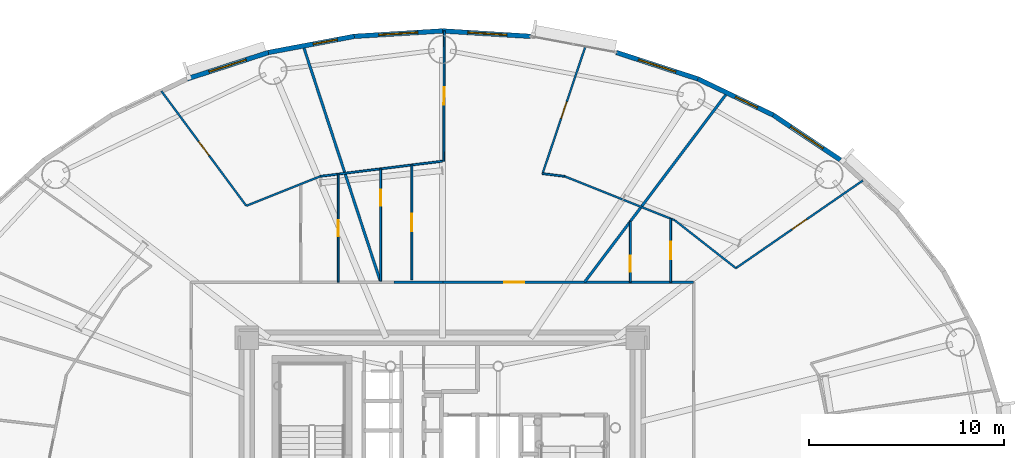
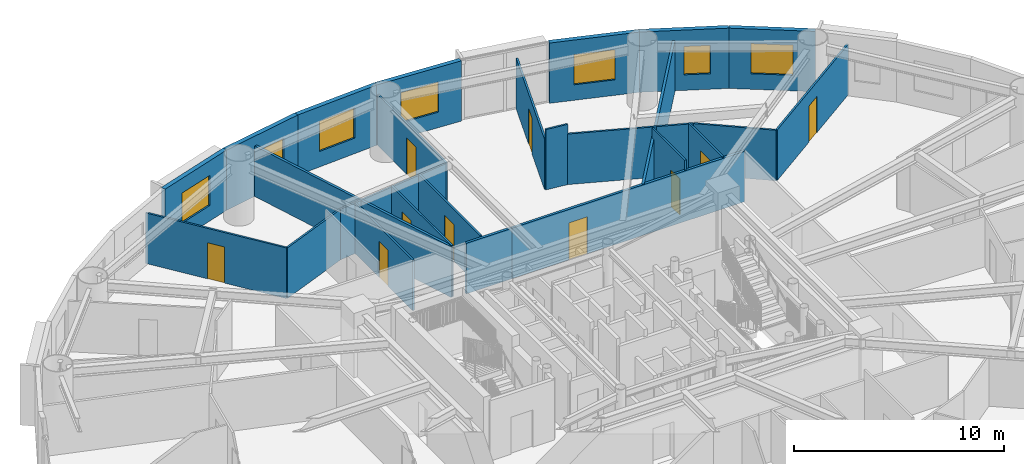
# One storey, part 13 of 19: 25 walls, 10 doors, 7 windows, 17 openings.
"""IFC4 building model written with IfcOpenShell, lengths in metres."""

from ifc_helpers import new_model, si_unit, direction, frame, frame_2d, origin, origin_2d, place, context, subcontext, project, spatial, rectangle, extrude, source, transform, mapped, material, layer, layer_set, type_object, element, fill, save


model = new_model("IFC4")

# Units and contexts
model_context = context("Model", 3, precision=1e-05, world=origin(), true_north=direction((0.0, 1.0)))
body_context = subcontext(model_context, "Body", "Model", "MODEL_VIEW")
ifc_project = project(units=[si_unit("LENGTHUNIT", "METRE"), si_unit("AREAUNIT", "SQUARE_METRE"), si_unit("VOLUMEUNIT", "CUBIC_METRE"), si_unit("PLANEANGLEUNIT", "RADIAN"), si_unit("MASSUNIT", "GRAM", prefix="KILO")], contexts=[model_context])

# Site, building, storey
site_placement = place(None, origin())
site = spatial("IfcSite", under=ifc_project, at=site_placement, CompositionType="ELEMENT")
building_placement = place(site_placement, origin())
building = spatial("IfcBuilding", under=site, at=building_placement, Name="Linh Dai School and Residence Tower", CompositionType="ELEMENT")
storey_placement = place(building_placement, frame((0.0, 0.0, 112.199951171875)))
storey = spatial("IfcBuildingStorey", under=building, at=storey_placement, Name="L26", CompositionType="ELEMENT", Elevation=112.199951171875)

# Wall, opening, window
ifc_material_1 = material(Name="Precast Concrete B45 (C35/45)", Category="concrete")
ifc_layer_1 = layer(ifc_material_1, 0.239990234375)
ifc_layer_set_1 = layer_set([ifc_layer_1], Name="Precast Concrete B45 (C35/45)")
wall_type_1 = type_object("IfcWallType", Name="EW-TC-240", PredefinedType="SOLIDWALL", material=ifc_layer_set_1)
wall_1_placement = place(storey_placement, frame((52.92529296875, 45.199462890625, 0.0), z_axis=(0.0, 0.0, 1.0), x_axis=(0.831221811447, -0.555940914284, 0.0)))
wall_1 = element("IfcWall", 1, at=wall_1_placement, inside=storey, type_object=wall_type_1, Name="L26 Terracotta Exterior Wall 06", PredefinedType="SOLIDWALL", context=body_context, shape_type="SweptSolid", body=[
    extrude(rectangle(XDim=4.130126953125, YDim=0.239990234375, at=frame_2d((2.06494140625, 0.0))), origin(), (0.0, 0.0, 1.0), 3.5),
])
opening_1_placement = place(wall_1_placement, frame((1.06494140625, 0.0, 0.89990234375)))
opening_1 = element("IfcOpeningElement", 2, at=opening_1_placement, cuts=wall_1, Name="Opening W1", PredefinedType="OPENING", context=body_context, shape_type="SweptSolid", body=[
    extrude(rectangle(XDim=2.0, YDim=1.75, at=origin_2d()), frame((1.0, 0.1298828125, 0.875), z_axis=(0.0, -1.0, 0.0), x_axis=(1.0, 0.0, 0.0)), (0.0, 0.0, 1.0), 0.260009765625),
])
ifc_material_2 = material(Name="Double Low-E Insulated Glazing", Category="glass")
window_type_1 = type_object("IfcWindowType", Name="WN-RES-2000x1750", PartitioningType="DOUBLE_PANEL_VERTICAL", PredefinedType="WINDOW", material=ifc_material_2)
shared_shape_1 = source(origin(), body_context, "Body", "SweptSolid", [
    extrude(rectangle(XDim=2.0, YDim=1.75, at=origin_2d()), frame((1.0, 0.030029296875, 0.875), z_axis=(0.0, -1.0, 0.0), x_axis=(1.0, 0.0, 0.0)), (0.0, 0.0, 1.0), 0.06005859375),
])
window_1_placement = place(opening_1_placement, origin())
window_1 = element("IfcWindow", 3, at=window_1_placement, inside=storey, type_object=window_type_1, Name="L26 Exterior Window 06.1", OverallHeight=1.75, OverallWidth=2.0, PartitioningType="DOUBLE_PANEL_VERTICAL", PredefinedType="WINDOW", context=body_context, shape_type="MappedRepresentation", body=[
    mapped(shared_shape_1, transform((0.0, 0.0, 0.0), x_axis=(1.0, 0.0, 0.0), y_axis=(0.0, 1.0, 0.0), z_axis=(0.0, 0.0, 1.0), scale=1.0)),
])
fill(opening_1, window_1)

wall_2_placement = place(storey_placement, frame((49.073974609375, 47.04736328125, 0.0), z_axis=(0.0, 0.0, 1.0), x_axis=(0.901589935876, -0.432591709962, 0.0)))
wall_2 = element("IfcWall", 4, at=wall_2_placement, inside=storey, type_object=wall_type_1, Name="L26 Terracotta Exterior Wall 07", PredefinedType="SOLIDWALL", context=body_context, shape_type="SweptSolid", body=[
    extrude(rectangle(XDim=4.271728515625, YDim=0.239990234375, at=frame_2d((2.1357421875, 0.0))), origin(), (0.0, 0.0, 1.0), 3.5),
])
opening_2_placement = place(wall_2_placement, frame((2.1318359375, 0.0, 0.89990234375)))
opening_2 = element("IfcOpeningElement", 5, at=opening_2_placement, cuts=wall_2, Name="Opening W3", PredefinedType="OPENING", context=body_context, shape_type="SweptSolid", body=[
    extrude(rectangle(XDim=1.25, YDim=1.64990234375, at=origin_2d()), frame((0.625, 0.1298828125, 0.824951171875), z_axis=(0.0, -1.0, 0.0), x_axis=(1.0, 0.0, 0.0)), (0.0, 0.0, 1.0), 0.260009765625),
])
window_type_2 = type_object("IfcWindowType", Name="WN-RES-1250x1650", PartitioningType="SINGLE_PANEL", PredefinedType="WINDOW", material=ifc_material_2)
shared_shape_2 = source(origin(), body_context, "Body", "SweptSolid", [
    extrude(rectangle(XDim=1.25, YDim=1.64990234375, at=origin_2d()), frame((0.625, 0.030029296875, 0.824951171875), z_axis=(0.0, -1.0, 0.0), x_axis=(1.0, 0.0, 0.0)), (0.0, 0.0, 1.0), 0.06005859375),
])
window_2_placement = place(opening_2_placement, origin())
window_2 = element("IfcWindow", 6, at=window_2_placement, inside=storey, type_object=window_type_2, Name="L26 Exterior Window 07.1", OverallHeight=1.64990234375, OverallWidth=1.25, PartitioningType="SINGLE_PANEL", PredefinedType="WINDOW", context=body_context, shape_type="MappedRepresentation", body=[
    mapped(shared_shape_2, transform((0.0, 0.0, 0.0), x_axis=(1.0, 0.0, 0.0), y_axis=(0.0, 1.0, 0.0), z_axis=(0.0, 0.0, 1.0), scale=1.0)),
])
fill(opening_2, window_2)

wall_3_placement = place(storey_placement, frame((44.899658203125, 48.4013671875, 0.0), z_axis=(0.0, 0.0, 1.0), x_axis=(0.951211346073, -0.308540070495, 0.0)))
wall_3 = element("IfcWall", 7, at=wall_3_placement, inside=storey, type_object=wall_type_1, Name="L26 Terracotta Exterior Wall 08", PredefinedType="SOLIDWALL", context=body_context, shape_type="SweptSolid", body=[
    extrude(rectangle(XDim=4.388427734375, YDim=0.239990234375, at=frame_2d((2.1943359375, 0.0))), origin(), (0.0, 0.0, 1.0), 3.5),
])
opening_3_placement = place(wall_3_placement, frame((1.194091796875, 0.0, 0.89990234375)))
opening_3 = element("IfcOpeningElement", 8, at=opening_3_placement, cuts=wall_3, Name="Opening W1", PredefinedType="OPENING", context=body_context, shape_type="SweptSolid", body=[
    extrude(rectangle(XDim=2.0, YDim=1.75, at=origin_2d()), frame((1.0, 0.1298828125, 0.875), z_axis=(0.0, -1.0, 0.0), x_axis=(1.0, 0.0, 0.0)), (0.0, 0.0, 1.0), 0.260009765625),
])
window_3_placement = place(opening_3_placement, origin())
window_3 = element("IfcWindow", 9, at=window_3_placement, inside=storey, type_object=window_type_1, Name="L26 Exterior Window 08.1", OverallHeight=1.75, OverallWidth=2.0, PartitioningType="DOUBLE_PANEL_VERTICAL", PredefinedType="WINDOW", context=body_context, shape_type="MappedRepresentation", body=[
    mapped(shared_shape_1, transform((0.0, 0.0, 0.0), x_axis=(1.0, 0.0, 0.0), y_axis=(0.0, 1.0, 0.0), z_axis=(0.0, 0.0, 1.0), scale=1.0)),
])
fill(opening_3, window_3)

wall_4_placement = place(storey_placement, frame((36.0, 49.5048828125, 0.0), z_axis=(0.0, 0.0, 1.0), x_axis=(0.998107531589, -0.061492726276, 0.0)))
wall_4 = element("IfcWall", 10, at=wall_4_placement, inside=storey, type_object=wall_type_1, Name="L26 Terracotta Exterior Wall 10", PredefinedType="SOLIDWALL", context=body_context, shape_type="SweptSolid", body=[
    extrude(rectangle(XDim=4.51416015625, YDim=0.239990234375, at=frame_2d((2.257080078125, 0.0))), origin(), (0.0, 0.0, 1.0), 3.5),
])
opening_4_placement = place(wall_4_placement, frame((1.305908203125, 0.0, 0.89990234375)))
opening_4 = element("IfcOpeningElement", 11, at=opening_4_placement, cuts=wall_4, Name="Opening W1", PredefinedType="OPENING", context=body_context, shape_type="SweptSolid", body=[
    extrude(rectangle(XDim=2.0, YDim=1.75, at=origin_2d()), frame((1.0, 0.1298828125, 0.875), z_axis=(0.0, -1.0, 0.0), x_axis=(1.0, 0.0, 0.0)), (0.0, 0.0, 1.0), 0.260009765625),
])
window_4_placement = place(opening_4_placement, origin())
window_4 = element("IfcWindow", 12, at=window_4_placement, inside=storey, type_object=window_type_1, Name="L26 Exterior Window 10.1", OverallHeight=1.75, OverallWidth=2.0, PartitioningType="DOUBLE_PANEL_VERTICAL", PredefinedType="WINDOW", context=body_context, shape_type="MappedRepresentation", body=[
    mapped(shared_shape_1, transform((0.0, 0.0, 0.0), x_axis=(1.0, 0.0, 0.0), y_axis=(0.0, 1.0, 0.0), z_axis=(0.0, 0.0, 1.0), scale=1.0)),
])
fill(opening_4, window_4)

wall_5_placement = place(storey_placement, frame((31.494384765625, 49.227294921875, 0.0), z_axis=(0.0, 0.0, 1.0), x_axis=(0.998107531589, 0.061492726276, 0.0)))
wall_5 = element("IfcWall", 13, at=wall_5_placement, inside=storey, type_object=wall_type_1, Name="L26 Terracotta Exterior Wall 11", PredefinedType="SOLIDWALL", context=body_context, shape_type="SweptSolid", body=[
    extrude(rectangle(XDim=4.51416015625, YDim=0.239990234375, at=frame_2d((2.257080078125, 0.0))), origin(), (0.0, 0.0, 1.0), 3.5),
])
opening_5_placement = place(wall_5_placement, frame((1.257080078125, 0.0, 0.89990234375)))
opening_5 = element("IfcOpeningElement", 14, at=opening_5_placement, cuts=wall_5, Name="Opening W1", PredefinedType="OPENING", context=body_context, shape_type="SweptSolid", body=[
    extrude(rectangle(XDim=2.0, YDim=1.75, at=origin_2d()), frame((1.0, 0.1298828125, 0.875), z_axis=(0.0, -1.0, 0.0), x_axis=(1.0, 0.0, 0.0)), (0.0, 0.0, 1.0), 0.260009765625),
])
window_5_placement = place(opening_5_placement, origin())
window_5 = element("IfcWindow", 15, at=window_5_placement, inside=storey, type_object=window_type_1, Name="L26 Exterior Window 11.1", OverallHeight=1.75, OverallWidth=2.0, PartitioningType="DOUBLE_PANEL_VERTICAL", PredefinedType="WINDOW", context=body_context, shape_type="MappedRepresentation", body=[
    mapped(shared_shape_1, transform((0.0, 0.0, 0.0), x_axis=(1.0, 0.0, 0.0), y_axis=(0.0, 1.0, 0.0), z_axis=(0.0, 0.0, 1.0), scale=1.0)),
])
fill(opening_5, window_5)

wall_6_placement = place(storey_placement, frame((27.100341796875, 48.4013671875, 0.0), z_axis=(0.0, 0.0, 1.0), x_axis=(0.982789252177, 0.184730305596, 0.0)))
wall_6 = element("IfcWall", 16, at=wall_6_placement, inside=storey, type_object=wall_type_1, Name="L26 Terracotta Exterior Wall 12", PredefinedType="SOLIDWALL", context=body_context, shape_type="SweptSolid", body=[
    extrude(rectangle(XDim=4.470947265625, YDim=0.239990234375, at=frame_2d((2.2353515625, 0.0))), origin(), (0.0, 0.0, 1.0), 3.5),
])
opening_6_placement = place(wall_6_placement, frame((2.332763671875, 0.0, 0.89990234375)))
opening_6 = element("IfcOpeningElement", 17, at=opening_6_placement, cuts=wall_6, Name="Opening W3", PredefinedType="OPENING", context=body_context, shape_type="SweptSolid", body=[
    extrude(rectangle(XDim=1.25, YDim=1.64990234375, at=origin_2d()), frame((0.625, 0.1298828125, 0.824951171875), z_axis=(0.0, -1.0, 0.0), x_axis=(1.0, 0.0, 0.0)), (0.0, 0.0, 1.0), 0.260009765625),
])
window_6_placement = place(opening_6_placement, origin())
window_6 = element("IfcWindow", 18, at=window_6_placement, inside=storey, type_object=window_type_2, Name="L26 Exterior Window 12.1", OverallHeight=1.64990234375, OverallWidth=1.25, PartitioningType="SINGLE_PANEL", PredefinedType="WINDOW", context=body_context, shape_type="MappedRepresentation", body=[
    mapped(shared_shape_2, transform((0.0, 0.0, 0.0), x_axis=(1.0, 0.0, 0.0), y_axis=(0.0, 1.0, 0.0), z_axis=(0.0, 0.0, 1.0), scale=1.0)),
])
fill(opening_6, window_6)

wall_7_placement = place(storey_placement, frame((22.926025390625, 47.04736328125, 0.0), z_axis=(0.0, 0.0, 1.0), x_axis=(0.951211346073, 0.308540070495, 0.0)))
wall_7 = element("IfcWall", 19, at=wall_7_placement, inside=storey, type_object=wall_type_1, Name="L26 Terracotta Exterior Wall 13", PredefinedType="SOLIDWALL", context=body_context, shape_type="SweptSolid", body=[
    extrude(rectangle(XDim=4.388427734375, YDim=0.239990234375, at=frame_2d((2.1943359375, 0.0))), origin(), (0.0, 0.0, 1.0), 3.5),
])
opening_7_placement = place(wall_7_placement, frame((1.1943359375, 0.0, 0.89990234375)))
opening_7 = element("IfcOpeningElement", 20, at=opening_7_placement, cuts=wall_7, Name="Opening W1", PredefinedType="OPENING", context=body_context, shape_type="SweptSolid", body=[
    extrude(rectangle(XDim=2.0, YDim=1.75, at=origin_2d()), frame((1.0, 0.1298828125, 0.875), z_axis=(0.0, -1.0, 0.0), x_axis=(1.0, 0.0, 0.0)), (0.0, 0.0, 1.0), 0.260009765625),
])
window_7_placement = place(opening_7_placement, origin())
window_7 = element("IfcWindow", 21, at=window_7_placement, inside=storey, type_object=window_type_1, Name="L26 Exterior Window 13.1", OverallHeight=1.75, OverallWidth=2.0, PartitioningType="DOUBLE_PANEL_VERTICAL", PredefinedType="WINDOW", context=body_context, shape_type="MappedRepresentation", body=[
    mapped(shared_shape_1, transform((0.0, 0.0, 0.0), x_axis=(1.0, 0.0, 0.0), y_axis=(0.0, 1.0, 0.0), z_axis=(0.0, 0.0, 1.0), scale=1.0)),
])
fill(opening_7, window_7)

# Wall
ifc_material_3 = material(Name="Autoclaved Aerated Concrete Blockwork", Category="masonry")
ifc_layer_2 = layer(ifc_material_3, 0.135009765625)
ifc_layer_set_2 = layer_set([ifc_layer_2], Name="Autoclaved Aerated Concrete Blockwork")
wall_type_2 = type_object("IfcWallType", Name="IW-CORR-135-EI90", PredefinedType="PARTITIONING", material=ifc_layer_set_2)
wall_8_placement = place(storey_placement, frame((28.88330078125, 48.741455078125, 0.0), z_axis=(0.0, 0.0, 1.0), x_axis=(0.311090320612, -0.95038035145, 0.0)))
element("IfcWall", 22, at=wall_8_placement, inside=storey, type_object=wall_type_2, Name="L26 Interior Partition Wall 028", PredefinedType="PARTITIONING", context=body_context, shape_type="SweptSolid", body=[
    extrude(rectangle(XDim=12.671142578125, YDim=0.135009765625, at=frame_2d((6.33544921875, 0.0))), origin(), (0.0, 0.0, 1.0), 2.93505859375),
])

# Wall, opening, door
wall_9_placement = place(storey_placement, frame((36.0419921875, 36.64990234375, 0.0), z_axis=(0.0, 0.0, 1.0), x_axis=(1.0, 0.0, 0.0)))
wall_9 = element("IfcWall", 23, at=wall_9_placement, inside=storey, type_object=wall_type_2, Name="L26 Interior Partition Wall 057", PredefinedType="PARTITIONING", context=body_context, shape_type="SweptSolid", body=[
    extrude(rectangle(XDim=12.80810546875, YDim=0.135009765625, at=frame_2d((6.404052734375, 0.0))), origin(), (0.0, 0.0, 1.0), 2.93505859375),
])
opening_8_placement = place(wall_9_placement, frame((3.134765625, 0.0, 0.0)))
opening_8 = element("IfcOpeningElement", 24, at=opening_8_placement, cuts=wall_9, Name="Opening D03", PredefinedType="OPENING", context=body_context, shape_type="SweptSolid", body=[
    extrude(rectangle(XDim=1.0, YDim=2.14990234375, at=origin_2d()), frame((0.5, 0.07763671875, 1.074951171875), z_axis=(0.0, -1.0, 0.0), x_axis=(1.0, 0.0, 0.0)), (0.0, 0.0, 1.0), 0.155029296875),
])
ifc_material_4 = material(Name="Fire-Rated Solid Timber Entrance Door", Category="wood")
door_type_1 = type_object("IfcDoorType", Name="DR-FLAT-1000x2150-FD60S", OperationType="NOTDEFINED", PredefinedType="DOOR", material=ifc_material_4)
shared_shape_3 = source(origin(), body_context, "Body", "SweptSolid", [
    extrude(rectangle(XDim=1.0, YDim=2.14990234375, at=origin_2d()), frame((0.5, 0.02490234375, 1.074951171875), z_axis=(0.0, -1.0, 0.0), x_axis=(1.0, 0.0, 0.0)), (0.0, 0.0, 1.0), 0.050048828125),
])
door_1_placement = place(opening_8_placement, origin())
door_1 = element("IfcDoor", 25, at=door_1_placement, inside=storey, type_object=door_type_1, Name="L26 U2601 Apartment Entrance Door", OperationType="SINGLE_SWING_RIGHT", OverallHeight=2.14990234375, OverallWidth=1.0, PredefinedType="DOOR", context=body_context, shape_type="MappedRepresentation", body=[
    mapped(shared_shape_3, transform((0.0, 0.0, 0.0), x_axis=(1.0, 0.0, 0.0), y_axis=(0.0, 1.0, 0.0), z_axis=(0.0, 0.0, 1.0), scale=1.0)),
])
fill(opening_8, door_1)

# Walls
wall_10_placement = place(storey_placement, frame((43.271728515625, 36.64990234375, 0.0), z_axis=(0.0, 0.0, 1.0), x_axis=(0.601821582461, 0.798630567211, 0.0)))
element("IfcWall", 26, at=wall_10_placement, inside=storey, type_object=wall_type_2, Name="L26 Interior Partition Wall 081", PredefinedType="PARTITIONING", context=body_context, shape_type="SweptSolid", body=[
    extrude(rectangle(XDim=12.127197265625, YDim=0.135009765625, at=frame_2d((6.0634765625, 0.0))), origin(), (0.0, 0.0, 1.0), 2.93505859375),
])
wall_11_placement = place(storey_placement, frame((33.532958984375, 36.64990234375, 0.0), z_axis=(0.0, 0.0, 1.0), x_axis=(1.0, 0.0, 0.0)))
element("IfcWall", 27, at=wall_11_placement, inside=storey, type_object=wall_type_2, Name="L26 Interior Partition Wall 111", PredefinedType="PARTITIONING", context=body_context, shape_type="SweptSolid", body=[
    extrude(rectangle(XDim=2.499267578125, YDim=0.135009765625, at=frame_2d((1.24951171875, 0.0))), origin(), (0.0, 0.0, 1.0), 2.93505859375),
])

# Wall, opening, door
ifc_material_5 = material(Name="Gypsum Plasterboard Acoustic Stud Partition", Category="masonry")
ifc_layer_3 = layer(ifc_material_5, 0.10009765625)
ifc_layer_set_3 = layer_set([ifc_layer_3], Name="Gypsum Plasterboard Acoustic Stud Partition")
wall_type_3 = type_object("IfcWallType", Name="IW-UNIT-100", PredefinedType="PARTITIONING", material=ifc_layer_set_3)
wall_12_placement = place(storey_placement, frame((21.6240234375, 46.42822265625, 0.0), z_axis=(0.0, 0.0, 1.0), x_axis=(0.594804555611, -0.803870350631, 0.0)))
wall_12 = element("IfcWall", 28, at=wall_12_placement, inside=storey, type_object=wall_type_3, Name="L26 Interior Partition Wall 019", PredefinedType="PARTITIONING", context=body_context, shape_type="SweptSolid", body=[
    extrude(rectangle(XDim=7.30322265625, YDim=0.10009765625, at=frame_2d((3.651611328125, 0.0))), origin(), (0.0, 0.0, 1.0), 2.93505859375),
])
opening_9_placement = place(wall_12_placement, frame((3.20166015625, 0.0, 0.0)))
opening_9 = element("IfcOpeningElement", 29, at=opening_9_placement, cuts=wall_12, Name="Opening D05", PredefinedType="OPENING", context=body_context, shape_type="SweptSolid", body=[
    extrude(rectangle(XDim=0.89990234375, YDim=2.10009765625, at=origin_2d()), frame((0.449951171875, 0.06005859375, 1.050048828125), z_axis=(0.0, -1.0, 0.0), x_axis=(1.0, 0.0, 0.0)), (0.0, 0.0, 1.0), 0.1201171875),
])
ifc_material_6 = material(Name="Engineered Timber Internal Door", Category="wood")
door_type_2 = type_object("IfcDoorType", Name="DR-INT-900x2100", OperationType="NOTDEFINED", PredefinedType="DOOR", material=ifc_material_6)
shared_shape_4 = source(origin(), body_context, "Body", "SweptSolid", [
    extrude(rectangle(XDim=0.89990234375, YDim=2.10009765625, at=origin_2d()), frame((0.449951171875, 0.02490234375, 1.050048828125), z_axis=(0.0, -1.0, 0.0), x_axis=(1.0, 0.0, 0.0)), (0.0, 0.0, 1.0), 0.050048828125),
])
door_2_placement = place(opening_9_placement, origin())
door_2 = element("IfcDoor", 30, at=door_2_placement, inside=storey, type_object=door_type_2, Name="L26 Apartment U2602 Principal Bedroom 1 Door", OperationType="SINGLE_SWING_RIGHT", OverallHeight=2.10009765625, OverallWidth=0.89990234375, PredefinedType="DOOR", context=body_context, shape_type="MappedRepresentation", body=[
    mapped(shared_shape_4, transform((0.0, 0.0, 0.0), x_axis=(1.0, 0.0, 0.0), y_axis=(0.0, 1.0, 0.0), z_axis=(0.0, 0.0, 1.0), scale=1.0)),
])
fill(opening_9, door_2)

# Walls
wall_13_placement = place(storey_placement, frame((25.968017578125, 40.557373046875, 0.0), z_axis=(0.0, 0.0, 1.0), x_axis=(0.928807252466, 0.37056320347, 0.0)))
element("IfcWall", 31, at=wall_13_placement, inside=storey, type_object=wall_type_3, Name="L26 Interior Partition Wall 024", PredefinedType="PARTITIONING", context=body_context, shape_type="SweptSolid", body=[
    extrude(rectangle(XDim=4.0703125, YDim=0.10009765625, at=frame_2d((2.03515625, 0.0))), origin(), (0.0, 0.0, 1.0), 2.93505859375),
])
wall_14_placement = place(storey_placement, frame((29.74853515625, 42.065673828125, 0.0), z_axis=(0.0, 0.0, 1.0), x_axis=(0.992395485088, 0.123090215599, 0.0)))
element("IfcWall", 32, at=wall_14_placement, inside=storey, type_object=wall_type_3, Name="L26 Interior Partition Wall 030", PredefinedType="PARTITIONING", context=body_context, shape_type="SweptSolid", body=[
    extrude(rectangle(XDim=6.29931640625, YDim=0.10009765625, at=frame_2d((3.149658203125, 0.0))), origin(), (0.0, 0.0, 1.0), 2.93505859375),
])

# Wall, opening, door
wall_15_placement = place(storey_placement, frame((30.672607421875, 36.64990234375, 0.0), z_axis=(0.0, 0.0, 1.0), x_axis=(0.0, 1.0, 0.0)))
wall_15 = element("IfcWall", 33, at=wall_15_placement, inside=storey, type_object=wall_type_3, Name="L26 Interior Partition Wall 031", PredefinedType="PARTITIONING", context=body_context, shape_type="SweptSolid", body=[
    extrude(rectangle(XDim=5.5302734375, YDim=0.10009765625, at=frame_2d((2.76513671875, 0.0))), origin(), (0.0, 0.0, 1.0), 2.93505859375),
])
opening_10_placement = place(wall_15_placement, frame((2.35498046875, 0.0, 0.0)))
opening_10 = element("IfcOpeningElement", 34, at=opening_10_placement, cuts=wall_15, Name="Opening D06", PredefinedType="OPENING", context=body_context, shape_type="SweptSolid", body=[
    extrude(rectangle(XDim=0.820068359375, YDim=2.10009765625, at=origin_2d()), frame((0.41015625, 0.06005859375, 1.050048828125), z_axis=(0.0, -1.0, 0.0), x_axis=(1.0, 0.0, 0.0)), (0.0, 0.0, 1.0), 0.1201171875),
])
ifc_material_7 = material(Name="Moisture-Resistant Timber Bathroom Door", Category="wood")
door_type_3 = type_object("IfcDoorType", Name="DR-WET-820x2100", OperationType="NOTDEFINED", PredefinedType="DOOR", material=ifc_material_7)
shared_shape_5 = source(origin(), body_context, "Body", "SweptSolid", [
    extrude(rectangle(XDim=0.820068359375, YDim=2.10009765625, at=origin_2d()), frame((0.41015625, 0.02490234375, 1.050048828125), z_axis=(0.0, -1.0, 0.0), x_axis=(1.0, 0.0, 0.0)), (0.0, 0.0, 1.0), 0.050048828125),
])
door_3_placement = place(opening_10_placement, origin())
door_3 = element("IfcDoor", 35, at=door_3_placement, inside=storey, type_object=door_type_3, Name="L26 Apartment U2602 Bathroom 1 Door", OperationType="SINGLE_SWING_RIGHT", OverallHeight=2.10009765625, OverallWidth=0.820068359375, PredefinedType="DOOR", context=body_context, shape_type="MappedRepresentation", body=[
    mapped(shared_shape_5, transform((0.0, 0.0, 0.0), x_axis=(1.0, 0.0, 0.0), y_axis=(0.0, 1.0, 0.0), z_axis=(0.0, 0.0, 1.0), scale=1.0)),
])
fill(opening_10, door_3)

wall_16_placement = place(storey_placement, frame((32.835693359375, 36.70068359375, 0.0), z_axis=(0.0, 0.0, 1.0), x_axis=(0.0, 1.0, 0.0)))
wall_16 = element("IfcWall", 36, at=wall_16_placement, inside=storey, type_object=wall_type_3, Name="L26 Interior Partition Wall 039", PredefinedType="PARTITIONING", context=body_context, shape_type="SweptSolid", body=[
    extrude(rectangle(XDim=5.747802734375, YDim=0.10009765625, at=frame_2d((2.8740234375, 0.0))), origin(), (0.0, 0.0, 1.0), 2.985107421875),
])
opening_11_placement = place(wall_16_placement, frame((3.8701171875, 0.0, 0.0)))
opening_11 = element("IfcOpeningElement", 37, at=opening_11_placement, cuts=wall_16, Name="Opening D06", PredefinedType="OPENING", context=body_context, shape_type="SweptSolid", body=[
    extrude(rectangle(XDim=0.820068359375, YDim=2.10009765625, at=origin_2d()), frame((0.41015625, 0.06005859375, 1.050048828125), z_axis=(0.0, -1.0, 0.0), x_axis=(1.0, 0.0, 0.0)), (0.0, 0.0, 1.0), 0.1201171875),
])
door_4_placement = place(opening_11_placement, origin())
door_4 = element("IfcDoor", 38, at=door_4_placement, inside=storey, type_object=door_type_3, Name="L26 Apartment U2601 Bathroom 1 Door", OperationType="SINGLE_SWING_RIGHT", OverallHeight=2.10009765625, OverallWidth=0.820068359375, PredefinedType="DOOR", context=body_context, shape_type="MappedRepresentation", body=[
    mapped(shared_shape_5, transform((0.0, 0.0, 0.0), x_axis=(1.0, 0.0, 0.0), y_axis=(0.0, 1.0, 0.0), z_axis=(0.0, 0.0, 1.0), scale=1.0)),
])
fill(opening_11, door_4)

wall_17_placement = place(storey_placement, frame((34.436279296875, 36.76318359375, 0.0), z_axis=(0.0, 0.0, 1.0), x_axis=(0.0, 1.0, 0.0)))
wall_17 = element("IfcWall", 39, at=wall_17_placement, inside=storey, type_object=wall_type_3, Name="L26 Interior Partition Wall 041", PredefinedType="PARTITIONING", context=body_context, shape_type="SweptSolid", body=[
    extrude(rectangle(XDim=5.8837890625, YDim=0.10009765625, at=frame_2d((2.94189453125, 0.0))), origin(), (0.0, 0.0, 1.0), 2.985107421875),
])
opening_12_placement = place(wall_17_placement, frame((2.491943359375, 0.0, 0.0)))
opening_12 = element("IfcOpeningElement", 40, at=opening_12_placement, cuts=wall_17, Name="Opening D05", PredefinedType="OPENING", context=body_context, shape_type="SweptSolid", body=[
    extrude(rectangle(XDim=0.89990234375, YDim=2.10009765625, at=origin_2d()), frame((0.449951171875, 0.06005859375, 1.050048828125), z_axis=(0.0, -1.0, 0.0), x_axis=(1.0, 0.0, 0.0)), (0.0, 0.0, 1.0), 0.1201171875),
])
door_5_placement = place(opening_12_placement, origin())
door_5 = element("IfcDoor", 41, at=door_5_placement, inside=storey, type_object=door_type_2, Name="L26 Apartment U2601 Kitchen Door", OperationType="SINGLE_SWING_LEFT", OverallHeight=2.10009765625, OverallWidth=0.89990234375, PredefinedType="DOOR", context=body_context, shape_type="MappedRepresentation", body=[
    mapped(shared_shape_4, transform((0.0, 0.0, 0.0), x_axis=(1.0, 0.0, 0.0), y_axis=(0.0, 1.0, 0.0), z_axis=(0.0, 0.0, 1.0), scale=1.0)),
])
fill(opening_12, door_5)

wall_18_placement = place(storey_placement, frame((36.069091796875, 42.83251953125, 0.0), z_axis=(0.0, 0.0, 1.0), x_axis=(0.004354785612, 0.999990517876, 0.0)))
wall_18 = element("IfcWall", 42, at=wall_18_placement, inside=storey, type_object=wall_type_3, Name="L26 Interior Partition Wall 058", PredefinedType="PARTITIONING", context=body_context, shape_type="SweptSolid", body=[
    extrude(rectangle(XDim=6.67138671875, YDim=0.10009765625, at=frame_2d((3.335693359375, 0.0))), origin(), (0.0, 0.0, 1.0), 2.93505859375),
])
opening_13_placement = place(wall_18_placement, frame((2.8857421875, 0.0, 0.0)))
opening_13 = element("IfcOpeningElement", 43, at=opening_13_placement, cuts=wall_18, Name="Opening D05", PredefinedType="OPENING", context=body_context, shape_type="SweptSolid", body=[
    extrude(rectangle(XDim=0.89990234375, YDim=2.10009765625, at=origin_2d()), frame((0.449951171875, 0.06005859375, 1.050048828125), z_axis=(0.0, -1.0, 0.0), x_axis=(1.0, 0.0, 0.0)), (0.0, 0.0, 1.0), 0.1201171875),
])
door_6_placement = place(opening_13_placement, origin())
door_6 = element("IfcDoor", 44, at=door_6_placement, inside=storey, type_object=door_type_2, Name="L26 Apartment U2601 Principal Bedroom 2 Door", OperationType="SINGLE_SWING_RIGHT", OverallHeight=2.10009765625, OverallWidth=0.89990234375, PredefinedType="DOOR", context=body_context, shape_type="MappedRepresentation", body=[
    mapped(shared_shape_4, transform((0.0, 0.0, 0.0), x_axis=(1.0, 0.0, 0.0), y_axis=(0.0, 1.0, 0.0), z_axis=(0.0, 0.0, 1.0), scale=1.0)),
])
fill(opening_13, door_6)

# Wall
wall_19_placement = place(storey_placement, frame((41.12451171875, 42.205322265625, 0.0), z_axis=(0.0, 0.0, 1.0), x_axis=(0.99240961586, -0.122976234894, 0.0)))
element("IfcWall", 45, at=wall_19_placement, inside=storey, type_object=wall_type_3, Name="L26 Interior Partition Wall 076", PredefinedType="PARTITIONING", context=body_context, shape_type="SweptSolid", body=[
    extrude(rectangle(XDim=1.135498046875, YDim=0.10009765625, at=frame_2d((0.56787109375, 0.0))), origin(), (0.0, 0.0, 1.0), 3.5),
])

# Wall, opening, door
wall_20_placement = place(storey_placement, frame((41.12451171875, 42.205322265625, 0.0), z_axis=(0.0, 0.0, 1.0), x_axis=(0.319387131438, 0.947624324441, 0.0)))
wall_20 = element("IfcWall", 46, at=wall_20_placement, inside=storey, type_object=wall_type_3, Name="L26 Interior Partition Wall 077", PredefinedType="PARTITIONING", context=body_context, shape_type="SweptSolid", body=[
    extrude(rectangle(XDim=6.858154296875, YDim=0.10009765625, at=frame_2d((3.42919921875, 0.0))), origin(), (0.0, 0.0, 1.0), 2.93505859375),
])
opening_14_placement = place(wall_20_placement, frame((2.97900390625, 0.0, 0.0)))
opening_14 = element("IfcOpeningElement", 47, at=opening_14_placement, cuts=wall_20, Name="Opening D05", PredefinedType="OPENING", context=body_context, shape_type="SweptSolid", body=[
    extrude(rectangle(XDim=0.89990234375, YDim=2.10009765625, at=origin_2d()), frame((0.449951171875, 0.06005859375, 1.050048828125), z_axis=(0.0, -1.0, 0.0), x_axis=(1.0, 0.0, 0.0)), (0.0, 0.0, 1.0), 0.1201171875),
])
door_7_placement = place(opening_14_placement, origin())
door_7 = element("IfcDoor", 48, at=door_7_placement, inside=storey, type_object=door_type_2, Name="L26 Apartment U2601 Principal Bedroom 1 Door", OperationType="SINGLE_SWING_LEFT", OverallHeight=2.10009765625, OverallWidth=0.89990234375, PredefinedType="DOOR", context=body_context, shape_type="MappedRepresentation", body=[
    mapped(shared_shape_4, transform((0.0, 0.0, 0.0), x_axis=(1.0, 0.0, 0.0), y_axis=(0.0, 1.0, 0.0), z_axis=(0.0, 0.0, 1.0), scale=1.0)),
])
fill(opening_14, door_7)

# Wall
wall_21_placement = place(storey_placement, frame((42.25146484375, 42.065673828125, 0.0), z_axis=(0.0, 0.0, 1.0), x_axis=(0.9288090756, -0.370558633798, 0.0)))
element("IfcWall", 49, at=wall_21_placement, inside=storey, type_object=wall_type_3, Name="L26 Interior Partition Wall 080", PredefinedType="PARTITIONING", context=body_context, shape_type="SweptSolid", body=[
    extrude(rectangle(XDim=6.072021484375, YDim=0.10009765625, at=frame_2d((3.0361328125, 0.0))), origin(), (0.0, 0.0, 1.0), 2.93505859375),
])

# Wall, opening, door
wall_22_placement = place(storey_placement, frame((45.612060546875, 36.64990234375, 0.0), z_axis=(0.0, 0.0, 1.0), x_axis=(0.0, 1.0, 0.0)))
wall_22 = element("IfcWall", 50, at=wall_22_placement, inside=storey, type_object=wall_type_3, Name="L26 Interior Partition Wall 084", PredefinedType="PARTITIONING", context=body_context, shape_type="SweptSolid", body=[
    extrude(rectangle(XDim=3.10595703125, YDim=0.10009765625, at=frame_2d((1.552978515625, 0.0))), origin(), (0.0, 0.0, 1.0), 3.5),
])
opening_15_placement = place(wall_22_placement, frame((0.529296875, 0.0, 0.0)))
opening_15 = element("IfcOpeningElement", 51, at=opening_15_placement, cuts=wall_22, Name="Opening D06", PredefinedType="OPENING", context=body_context, shape_type="SweptSolid", body=[
    extrude(rectangle(XDim=0.820068359375, YDim=2.10009765625, at=origin_2d()), frame((0.41015625, 0.06005859375, 1.050048828125), z_axis=(0.0, -1.0, 0.0), x_axis=(1.0, 0.0, 0.0)), (0.0, 0.0, 1.0), 0.1201171875),
])
door_8_placement = place(opening_15_placement, origin())
door_8 = element("IfcDoor", 52, at=door_8_placement, inside=storey, type_object=door_type_3, Name="L26 Apartment U2606 Bathroom 1 Door", OperationType="SINGLE_SWING_RIGHT", OverallHeight=2.10009765625, OverallWidth=0.820068359375, PredefinedType="DOOR", context=body_context, shape_type="MappedRepresentation", body=[
    mapped(shared_shape_5, transform((0.0, 0.0, 0.0), x_axis=(1.0, 0.0, 0.0), y_axis=(0.0, 1.0, 0.0), z_axis=(0.0, 0.0, 1.0), scale=1.0)),
])
fill(opening_15, door_8)

wall_23_placement = place(storey_placement, frame((47.671630859375, 36.64990234375, 0.0), z_axis=(0.0, 0.0, 1.0), x_axis=(0.0, 1.0, 0.0)))
wall_23 = element("IfcWall", 53, at=wall_23_placement, inside=storey, type_object=wall_type_3, Name="L26 Interior Partition Wall 086", PredefinedType="PARTITIONING", context=body_context, shape_type="SweptSolid", body=[
    extrude(rectangle(XDim=3.253173828125, YDim=0.10009765625, at=frame_2d((1.62646484375, 0.0))), origin(), (0.0, 0.0, 1.0), 2.985107421875),
])
opening_16_placement = place(wall_23_placement, frame((1.176513671875, 0.0, 0.0)))
opening_16 = element("IfcOpeningElement", 54, at=opening_16_placement, cuts=wall_23, Name="Opening D05", PredefinedType="OPENING", context=body_context, shape_type="SweptSolid", body=[
    extrude(rectangle(XDim=0.89990234375, YDim=2.10009765625, at=origin_2d()), frame((0.449951171875, 0.06005859375, 1.050048828125), z_axis=(0.0, -1.0, 0.0), x_axis=(1.0, 0.0, 0.0)), (0.0, 0.0, 1.0), 0.1201171875),
])
door_9_placement = place(opening_16_placement, origin())
door_9 = element("IfcDoor", 55, at=door_9_placement, inside=storey, type_object=door_type_2, Name="L26 Apartment U2606 Kitchen Door", OperationType="SINGLE_SWING_LEFT", OverallHeight=2.10009765625, OverallWidth=0.89990234375, PredefinedType="DOOR", context=body_context, shape_type="MappedRepresentation", body=[
    mapped(shared_shape_4, transform((0.0, 0.0, 0.0), x_axis=(1.0, 0.0, 0.0), y_axis=(0.0, 1.0, 0.0), z_axis=(0.0, 0.0, 1.0), scale=1.0)),
])
fill(opening_16, door_9)

# Wall
wall_24_placement = place(storey_placement, frame((47.890869140625, 39.815673828125, 0.0), z_axis=(0.0, 0.0, 1.0), x_axis=(0.787331052764, -0.616530464254, 0.0)))
element("IfcWall", 56, at=wall_24_placement, inside=storey, type_object=wall_type_3, Name="L26 Interior Partition Wall 088", PredefinedType="PARTITIONING", context=body_context, shape_type="SweptSolid", body=[
    extrude(rectangle(XDim=3.969482421875, YDim=0.10009765625, at=frame_2d((1.98486328125, 0.0))), origin(), (0.0, 0.0, 1.0), 2.93505859375),
])

# Wall, opening, door
wall_25_placement = place(storey_placement, frame((51.01611328125, 37.368408203125, 0.0), z_axis=(0.0, 0.0, 1.0), x_axis=(0.822878649823, 0.568217148338, 0.0)))
wall_25 = element("IfcWall", 57, at=wall_25_placement, inside=storey, type_object=wall_type_3, Name="L26 Interior Partition Wall 092", PredefinedType="PARTITIONING", context=body_context, shape_type="SweptSolid", body=[
    extrude(rectangle(XDim=7.892822265625, YDim=0.10009765625, at=frame_2d((3.9462890625, 0.0))), origin(), (0.0, 0.0, 1.0), 2.93505859375),
])
opening_17_placement = place(wall_25_placement, frame((3.49658203125, 0.0, 0.0)))
opening_17 = element("IfcOpeningElement", 58, at=opening_17_placement, cuts=wall_25, Name="Opening D05", PredefinedType="OPENING", context=body_context, shape_type="SweptSolid", body=[
    extrude(rectangle(XDim=0.89990234375, YDim=2.10009765625, at=origin_2d()), frame((0.449951171875, 0.06005859375, 1.050048828125), z_axis=(0.0, -1.0, 0.0), x_axis=(1.0, 0.0, 0.0)), (0.0, 0.0, 1.0), 0.1201171875),
])
door_10_placement = place(opening_17_placement, origin())
door_10 = element("IfcDoor", 59, at=door_10_placement, inside=storey, type_object=door_type_2, Name="L26 Apartment U2606 Principal Bedroom 2 Door", OperationType="SINGLE_SWING_RIGHT", OverallHeight=2.10009765625, OverallWidth=0.89990234375, PredefinedType="DOOR", context=body_context, shape_type="MappedRepresentation", body=[
    mapped(shared_shape_4, transform((0.0, 0.0, 0.0), x_axis=(1.0, 0.0, 0.0), y_axis=(0.0, 1.0, 0.0), z_axis=(0.0, 0.0, 1.0), scale=1.0)),
])
fill(opening_17, door_10)

save(model, "model.ifc")
